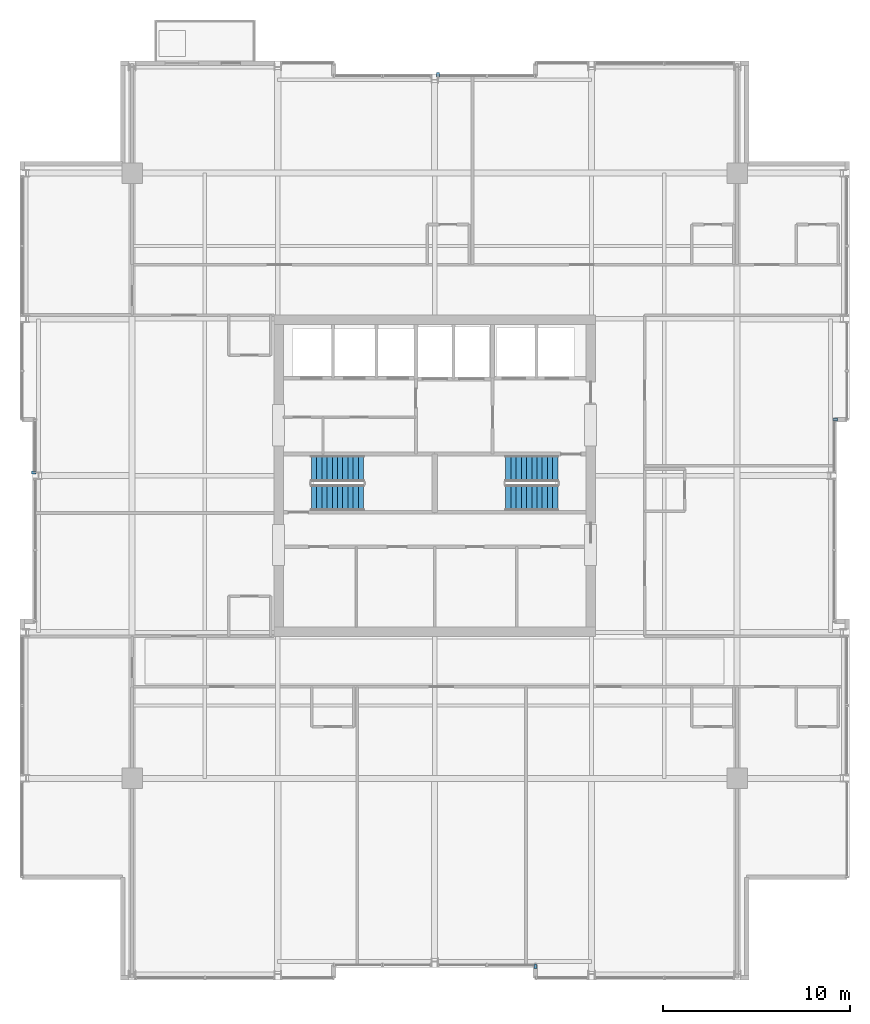
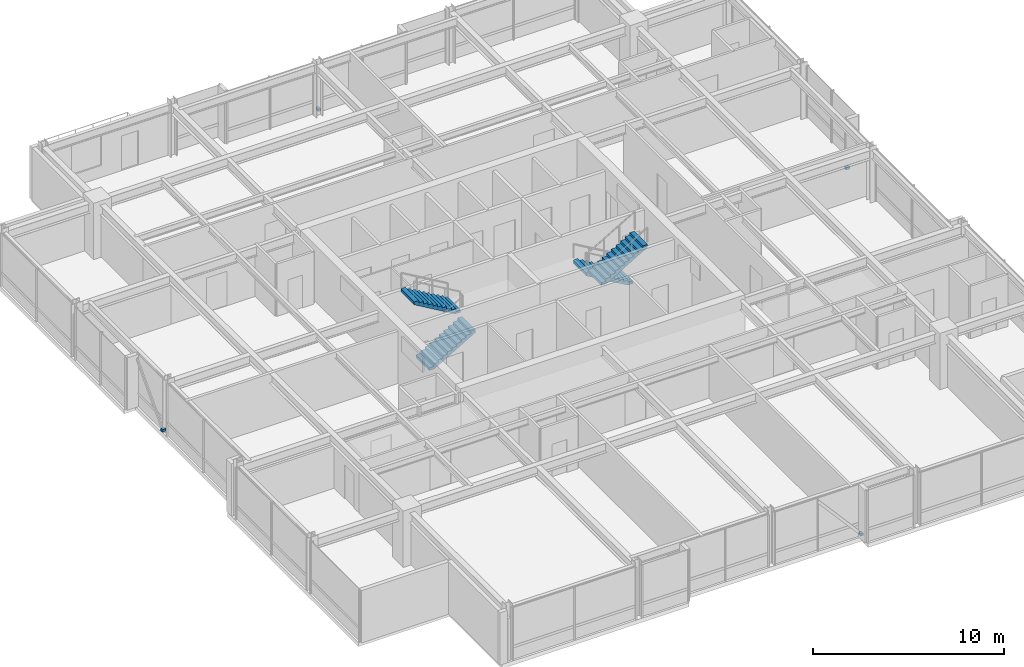
# One storey, part 28 of 31: 4 discrete accessories, 4 stair flights, 2 elements without a shape of their own.
"""IFC4 building model written with IfcOpenShell, lengths in metres."""

from ifc_helpers import new_model, si_unit, direction, frame, origin, origin_2d, place, context, subcontext, project, spatial, polyline, rectangle, outline, extrude, material, type_object, element, aggregate, save


model = new_model("IFC4")

# Units and contexts
model_context = context("Model", 3, precision=1e-05, world=origin(), true_north=direction((0.0, 1.0)))
body_context = subcontext(model_context, "Body", "Model", "MODEL_VIEW")
ifc_project = project(units=[si_unit("LENGTHUNIT", "METRE"), si_unit("AREAUNIT", "SQUARE_METRE"), si_unit("VOLUMEUNIT", "CUBIC_METRE"), si_unit("PLANEANGLEUNIT", "RADIAN"), si_unit("MASSUNIT", "GRAM", prefix="KILO")], contexts=[model_context])

# Site, building, storey
site_placement = place(None, origin())
site = spatial("IfcSite", under=ifc_project, at=site_placement, CompositionType="ELEMENT")
building_placement = place(site_placement, origin())
building = spatial("IfcBuilding", under=site, at=building_placement, Name="Drelvath Grand Hotel", CompositionType="ELEMENT")
storey_placement = place(building_placement, frame((0.0, 0.0, 219.5)))
storey = spatial("IfcBuildingStorey", under=building, at=storey_placement, Name="L57", CompositionType="ELEMENT", Elevation=219.5)

# Stair, stair flights
ifc_material_1 = material(Name="Concrete C40/50", Category="concrete")
stair_type = type_object("IfcStairType", Name="Dogleg Exit Stair W1400-R163.6", PredefinedType="HALF_TURN_STAIR", material=ifc_material_1)
stair_1_placement = place(storey_placement, origin())
stair_1 = element("IfcStair", 1, at=stair_1_placement, inside=storey, type_object=stair_type, Name="L57 Core Exit Stair ST-1", PredefinedType="HALF_TURN_STAIR")
stair_flight_type = type_object("IfcStairFlightType", Name="Concrete Stair Flight W1400-R163.6", PredefinedType="STRAIGHT", material=ifc_material_1)
stair_flight_1_placement = place(storey_placement, frame((-6.60009765625, 25.820068359375, 0.0), z_axis=(0.0, 0.0, 1.0), x_axis=(1.0, 0.0, 0.0)))
stair_flight_1 = element("IfcStairFlight", 2, at=stair_flight_1_placement, type_object=stair_flight_type, Name="ST-1 flight 1", NumberOfRisers=11, NumberOfTreads=10, PredefinedType="STRAIGHT", RiserHeight=0.163636364, TreadLength=0.28, context=body_context, shape_type="SweptSolid", body=[
    extrude(outline(polyline([(0.0, 0.0), (0.0, 0.16357421875), (0.280029296875, 0.16357421875), (0.280029296875, 0.327392578125), (0.56005859375, 0.327392578125), (0.56005859375, 0.490966796875), (0.840087890625, 0.490966796875), (0.840087890625, 0.654541015625), (1.1201171875, 0.654541015625), (1.1201171875, 0.818115234375), (1.39990234375, 0.818115234375), (1.39990234375, 0.98193359375), (1.679931640625, 0.98193359375), (1.679931640625, 1.1455078125), (1.9599609375, 1.1455078125), (1.9599609375, 1.30908203125), (2.239990234375, 1.30908203125), (2.239990234375, 1.47265625), (2.52001953125, 1.47265625), (2.52001953125, 1.636474609375), (2.800048828125, 1.636474609375), (2.800048828125, 1.800048828125), (2.800048828125, 1.451171875), (0.31689453125, 0.0), (0.0, 0.0)])), frame((0.0, 0.699951171875, 0.0), z_axis=(0.0, -1.0, 0.0), x_axis=(1.0, 0.0, 0.0)), (0.0, 0.0, 1.0), 1.39990234375),
])
stair_flight_2_placement = place(storey_placement, frame((-3.800048828125, 27.3798828125, 1.800048828125), z_axis=(0.0, 0.0, 1.0), x_axis=(-1.0, 0.0, 0.0)))
stair_flight_2 = element("IfcStairFlight", 3, at=stair_flight_2_placement, type_object=stair_flight_type, Name="ST-1 flight 2", NumberOfRisers=11, NumberOfTreads=10, PredefinedType="STRAIGHT", RiserHeight=0.163636364, TreadLength=0.28, context=body_context, shape_type="SweptSolid", body=[
    extrude(outline(polyline([(0.0, 0.0), (0.0, 0.16357421875), (0.280029296875, 0.16357421875), (0.280029296875, 0.327392578125), (0.56005859375, 0.327392578125), (0.56005859375, 0.490966796875), (0.840087890625, 0.490966796875), (0.840087890625, 0.654541015625), (1.1201171875, 0.654541015625), (1.1201171875, 0.818115234375), (1.39990234375, 0.818115234375), (1.39990234375, 0.98193359375), (1.679931640625, 0.98193359375), (1.679931640625, 1.1455078125), (1.9599609375, 1.1455078125), (1.9599609375, 1.30908203125), (2.239990234375, 1.30908203125), (2.239990234375, 1.47265625), (2.52001953125, 1.47265625), (2.52001953125, 1.636474609375), (2.800048828125, 1.636474609375), (2.800048828125, 1.800048828125), (2.800048828125, 1.451171875), (0.31689453125, 0.0), (0.0, 0.0)])), frame((0.0, 0.699951171875, 0.0), z_axis=(0.0, -1.0, 0.0), x_axis=(1.0, 0.0, 0.0)), (0.0, 0.0, 1.0), 1.39990234375),
])
aggregate(stair_1, [stair_flight_1, stair_flight_2])

stair_2_placement = place(storey_placement, origin())
stair_2 = element("IfcStair", 4, at=stair_2_placement, inside=storey, type_object=stair_type, Name="L57 Core Exit Stair ST-2", PredefinedType="HALF_TURN_STAIR")
stair_flight_3_placement = place(storey_placement, frame((6.60009765625, 27.3798828125, 0.0), z_axis=(0.0, 0.0, 1.0), x_axis=(-1.0, 0.0, 0.0)))
stair_flight_3 = element("IfcStairFlight", 5, at=stair_flight_3_placement, type_object=stair_flight_type, Name="ST-2 flight 1", NumberOfRisers=11, NumberOfTreads=10, PredefinedType="STRAIGHT", RiserHeight=0.163636364, TreadLength=0.28, context=body_context, shape_type="SweptSolid", body=[
    extrude(outline(polyline([(0.0, 0.0), (0.0, 0.16357421875), (0.280029296875, 0.16357421875), (0.280029296875, 0.327392578125), (0.56005859375, 0.327392578125), (0.56005859375, 0.490966796875), (0.840087890625, 0.490966796875), (0.840087890625, 0.654541015625), (1.1201171875, 0.654541015625), (1.1201171875, 0.818115234375), (1.39990234375, 0.818115234375), (1.39990234375, 0.98193359375), (1.679931640625, 0.98193359375), (1.679931640625, 1.1455078125), (1.9599609375, 1.1455078125), (1.9599609375, 1.30908203125), (2.239990234375, 1.30908203125), (2.239990234375, 1.47265625), (2.52001953125, 1.47265625), (2.52001953125, 1.636474609375), (2.800048828125, 1.636474609375), (2.800048828125, 1.800048828125), (2.800048828125, 1.451171875), (0.31689453125, 0.0), (0.0, 0.0)])), frame((0.0, 0.699951171875, 0.0), z_axis=(0.0, -1.0, 0.0), x_axis=(1.0, 0.0, 0.0)), (0.0, 0.0, 1.0), 1.39990234375),
])
stair_flight_4_placement = place(storey_placement, frame((3.800048828125, 25.820068359375, 1.800048828125), z_axis=(0.0, 0.0, 1.0), x_axis=(1.0, 0.0, 0.0)))
stair_flight_4 = element("IfcStairFlight", 6, at=stair_flight_4_placement, type_object=stair_flight_type, Name="ST-2 flight 2", NumberOfRisers=11, NumberOfTreads=10, PredefinedType="STRAIGHT", RiserHeight=0.163636364, TreadLength=0.28, context=body_context, shape_type="SweptSolid", body=[
    extrude(outline(polyline([(0.0, 0.0), (0.0, 0.16357421875), (0.280029296875, 0.16357421875), (0.280029296875, 0.327392578125), (0.56005859375, 0.327392578125), (0.56005859375, 0.490966796875), (0.840087890625, 0.490966796875), (0.840087890625, 0.654541015625), (1.1201171875, 0.654541015625), (1.1201171875, 0.818115234375), (1.39990234375, 0.818115234375), (1.39990234375, 0.98193359375), (1.679931640625, 0.98193359375), (1.679931640625, 1.1455078125), (1.9599609375, 1.1455078125), (1.9599609375, 1.30908203125), (2.239990234375, 1.30908203125), (2.239990234375, 1.47265625), (2.52001953125, 1.47265625), (2.52001953125, 1.636474609375), (2.800048828125, 1.636474609375), (2.800048828125, 1.800048828125), (2.800048828125, 1.451171875), (0.31689453125, 0.0), (0.0, 0.0)])), frame((0.0, 0.699951171875, 0.0), z_axis=(0.0, -1.0, 0.0), x_axis=(1.0, 0.0, 0.0)), (0.0, 0.0, 1.0), 1.39990234375),
])
aggregate(stair_2, [stair_flight_3, stair_flight_4])

# Discrete accessories
ifc_material_2 = material(Name="Stainless Steel Grade 316", Category="steel")
discrete_accessory_type = type_object("IfcDiscreteAccessoryType", Name="Curtain Wall Fin Mounting Bracket Cleat", PredefinedType="BRACKET", material=ifc_material_2)
for number, where, z_axis, x_axis, name in (
    (7, (-21.4599609375, 27.185302734375, 0.10009765625), (0.0, 0.0, 1.0), (0.0, 1.0, 0.0), "L57 Fin Mounting Bracket CW05-L57-WM2-1"),
    (8, (21.4599609375, 30.0, 0.10009765625), (0.0, 0.0, 1.0), (0.0, -1.0, 0.0), "L57 Fin Mounting Bracket CW05-L57-EM2-1"),
    (9, (0.185302734375, 48.4599609375, 0.10009765625), (0.0, 0.0, 1.0), (1.0, 0.0, 0.0), "L57 Fin Mounting Bracket CW05-L57-NM2-1"),
    (10, (5.39990234375, 0.739990234375, 0.10009765625), (0.0, 0.0, 1.0), (-1.0, 0.0, 0.0), "L57 Fin Mounting Bracket CW05-L57-SM2-1"),
):
    element("IfcDiscreteAccessory", number, at=place(storey_placement, frame(where, z_axis=z_axis, x_axis=x_axis)), inside=storey, type_object=discrete_accessory_type, Name=name, PredefinedType="BRACKET", context=body_context, shape_type="SweptSolid", body=[
        extrude(rectangle(XDim=0.159912109375, YDim=0.239990234375, at=origin_2d()), origin(), (0.0, 0.0, 1.0), 0.159912109375),
    ])

save(model, "model.ifc")
